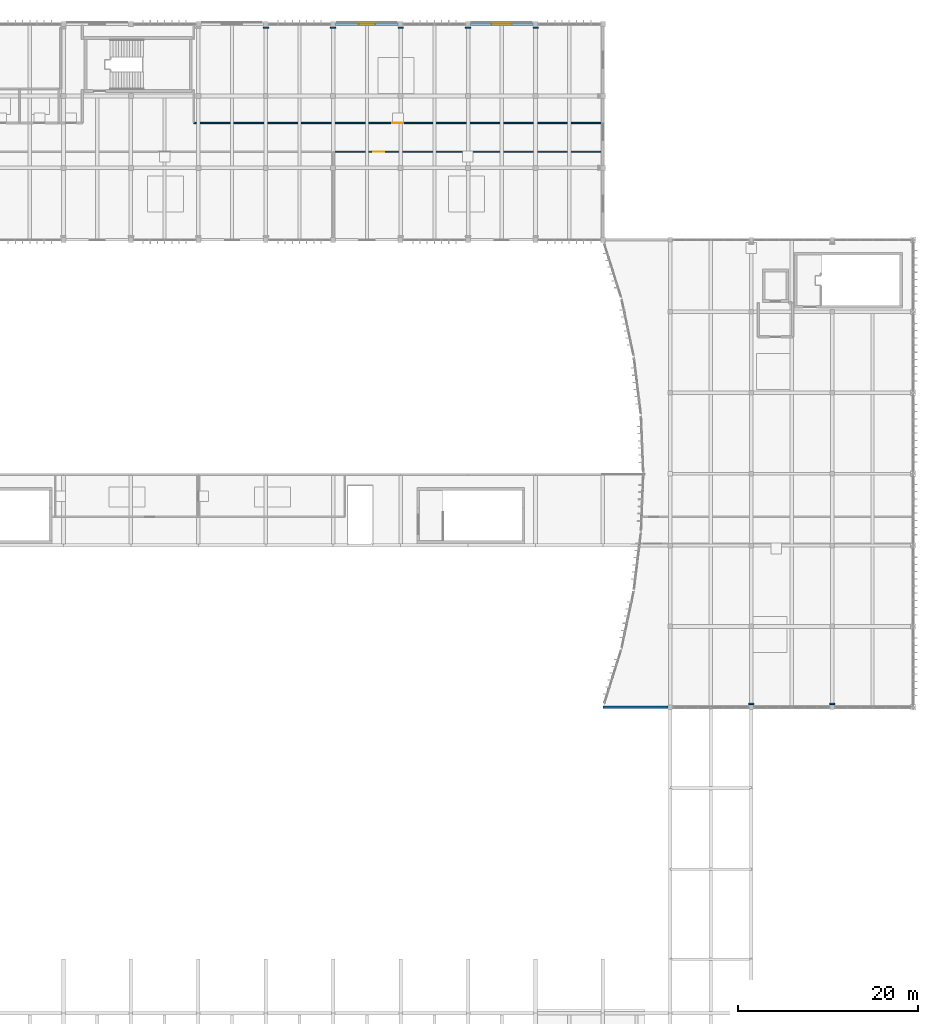
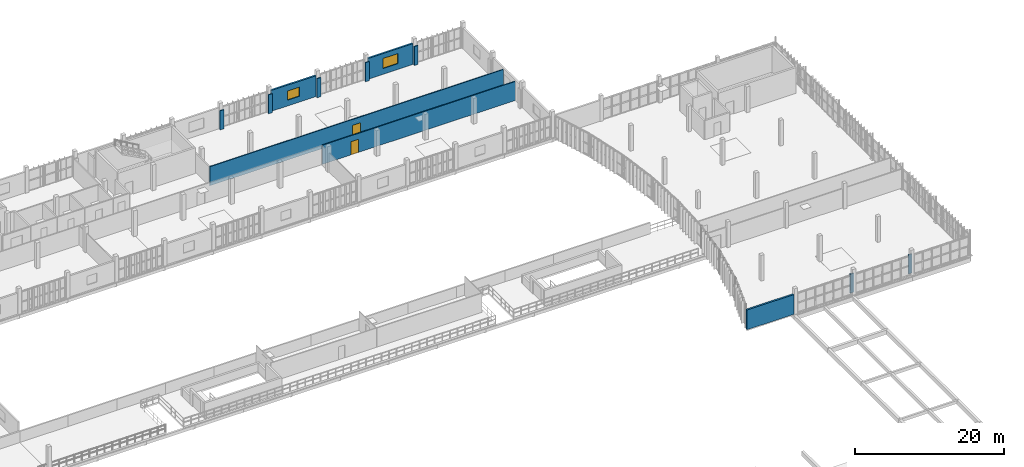
# One storey, part 45 of 61: 12 walls, 2 doors, 2 windows, 4 openings.
"""IFC4 building model written with IfcOpenShell, lengths in metres."""

from ifc_helpers import new_model, si_unit, direction, frame, frame_2d, origin, place, context, subcontext, project, spatial, rectangle, extrude, material, layer, layer_set, type_object, element, fill, save


model = new_model("IFC4")

# Units and contexts
model_context = context("Model", 3, precision=1e-05, world=origin(), true_north=direction((0.0, 1.0)))
body_context = subcontext(model_context, "Body", "Model", "MODEL_VIEW")
ifc_project = project(units=[si_unit("LENGTHUNIT", "METRE"), si_unit("AREAUNIT", "SQUARE_METRE"), si_unit("VOLUMEUNIT", "CUBIC_METRE"), si_unit("PLANEANGLEUNIT", "RADIAN"), si_unit("MASSUNIT", "GRAM", prefix="KILO")], contexts=[model_context])

# Site, building, storey
site_placement = place(None, origin())
site = spatial("IfcSite", under=ifc_project, at=site_placement, CompositionType="ELEMENT")
building_placement = place(site_placement, origin())
building = spatial("IfcBuilding", under=site, at=building_placement, Name="Vourika Railside Aquatics Centre", CompositionType="ELEMENT")
storey_placement = place(building_placement, frame((0.0, 0.0, 9.300048828125)))
storey = spatial("IfcBuildingStorey", under=building, at=storey_placement, Name="L02", CompositionType="ELEMENT", Elevation=9.300048828125)

# Wall
ifc_material_1 = material(Name="Precast concrete C40/50", Category="concrete")
ifc_layer_1 = layer(ifc_material_1, 0.27001953125, Name="WL-EXT-270")
ifc_layer_set_1 = layer_set([ifc_layer_1], Name="Precast concrete C40/50")
wall_type_1 = type_object("IfcWallType", Name="WL-EXT-270", PredefinedType="SOLIDWALL", material=ifc_layer_set_1)
wall_1_placement = place(storey_placement, frame((133.5, 40.0, 0.0), z_axis=(0.0, 0.0, 1.0), x_axis=(1.0, 0.0, 0.0)))
element("IfcWall", 1, at=wall_1_placement, inside=storey, type_object=wall_type_1, Name="Foyer South Return Wall L02", PredefinedType="SOLIDWALL", context=body_context, shape_type="SweptSolid", body=[
    extrude(rectangle(XDim=7.25, YDim=0.27001953125, at=frame_2d((3.625, 0.0))), origin(), (0.0, 0.0, 1.0), 3.219970703125),
])

# Wall, opening, window
wall_2_placement = place(storey_placement, frame((110.72509765625, 116.0, 0.0), z_axis=(0.0, 0.0, 1.0), x_axis=(-1.0, 0.0, 0.0)))
wall_2 = element("IfcWall", 2, at=wall_2_placement, inside=storey, type_object=wall_type_1, Name="North Boulevard Precast Bay L02-12", PredefinedType="SOLIDWALL", context=body_context, shape_type="SweptSolid", body=[
    extrude(rectangle(XDim=6.9501953125, YDim=0.27001953125, at=frame_2d((3.47509765625, 0.0))), origin(), (0.0, 0.0, 1.0), 3.409912109375),
])
opening_1_placement = place(wall_2_placement, frame((2.574951171875, 0.0, 0.949951171875)))
opening_1 = element("IfcOpeningElement", 3, at=opening_1_placement, cuts=wall_2, Name="Opening W08", PredefinedType="OPENING", context=body_context, shape_type="SweptSolid", body=[
    extrude(rectangle(XDim=1.800048828125, YDim=1.5, at=frame_2d((0.89990234375, 0.75))), frame((0.0, 0.14501953125, 0.0), z_axis=(0.0, -1.0, 0.0), x_axis=(1.0, 0.0, 0.0)), (0.0, 0.0, 1.0), 0.2900390625),
])
ifc_material_2 = material(Name="Laminated solar-control glass", Category="glass")
window_type_1 = type_object("IfcWindowType", Name="WN-CLN-180x150", PartitioningType="SINGLE_PANEL", PredefinedType="WINDOW", material=ifc_material_2)
window_1_placement = place(opening_1_placement, origin())
window_1 = element("IfcWindow", 4, at=window_1_placement, inside=storey, type_object=window_type_1, Name="North Boulevard Studio Window L02-12", OverallHeight=1.5, OverallWidth=1.800048828125, PartitioningType="SINGLE_PANEL", PredefinedType="WINDOW", context=body_context, shape_type="SweptSolid", body=[
    extrude(rectangle(XDim=1.800048828125, YDim=1.5, at=frame_2d((0.89990234375, 0.75))), frame((0.0, 0.030029296875, 0.0), z_axis=(0.0, -1.0, 0.0), x_axis=(1.0, 0.0, 0.0)), (0.0, 0.0, 1.0), 0.06005859375),
])
fill(opening_1, window_1)

wall_3_placement = place(storey_placement, frame((125.72509765625, 116.0, 0.0), z_axis=(0.0, 0.0, 1.0), x_axis=(-1.0, 0.0, 0.0)))
wall_3 = element("IfcWall", 5, at=wall_3_placement, inside=storey, type_object=wall_type_1, Name="North Boulevard Precast Bay L02-14", PredefinedType="SOLIDWALL", context=body_context, shape_type="SweptSolid", body=[
    extrude(rectangle(XDim=6.9501953125, YDim=0.27001953125, at=frame_2d((3.47509765625, 0.0))), origin(), (0.0, 0.0, 1.0), 3.409912109375),
])
opening_2_placement = place(wall_3_placement, frame((2.35009765625, 0.0, 0.949951171875)))
opening_2 = element("IfcOpeningElement", 6, at=opening_2_placement, cuts=wall_3, Name="Opening W10", PredefinedType="OPENING", context=body_context, shape_type="SweptSolid", body=[
    extrude(rectangle(XDim=2.25, YDim=1.64990234375, at=frame_2d((1.125, 0.824951171875))), frame((0.0, 0.14501953125, 0.0), z_axis=(0.0, -1.0, 0.0), x_axis=(1.0, 0.0, 0.0)), (0.0, 0.0, 1.0), 0.2900390625),
])
window_type_2 = type_object("IfcWindowType", Name="WN-LAB-225x165", PartitioningType="DOUBLE_PANEL_VERTICAL", PredefinedType="WINDOW", material=ifc_material_2)
window_2_placement = place(opening_2_placement, origin())
window_2 = element("IfcWindow", 7, at=window_2_placement, inside=storey, type_object=window_type_2, Name="North Boulevard Studio Window L02-14", OverallHeight=1.64990234375, OverallWidth=2.25, PartitioningType="SINGLE_PANEL", PredefinedType="WINDOW", context=body_context, shape_type="SweptSolid", body=[
    extrude(rectangle(XDim=2.25, YDim=1.64990234375, at=frame_2d((1.125, 0.824951171875))), frame((0.0, 0.030029296875, 0.0), z_axis=(0.0, -1.0, 0.0), x_axis=(1.0, 0.0, 0.0)), (0.0, 0.0, 1.0), 0.06005859375),
])
fill(opening_2, window_2)

# Wall, opening, door
ifc_material_3 = material(Name="Clinical hygienic partition")
ifc_layer_2 = layer(ifc_material_3, 0.139892578125, Name="WL-PART-140")
ifc_layer_set_2 = layer_set([ifc_layer_2], Name="Clinical hygienic partition")
wall_type_2 = type_object("IfcWallType", Name="WL-PART-140", PredefinedType="PARTITIONING", material=ifc_layer_set_2)
wall_4_placement = place(storey_placement, frame((103.550048828125, 101.800048828125, 0.0), z_axis=(0.0, 0.0, 1.0), x_axis=(1.0, 0.0, 0.0)))
wall_4 = element("IfcWall", 8, at=wall_4_placement, inside=storey, type_object=wall_type_2, Name="Exercise Physiology and VO2 Testing Laboratory Partition 1", PredefinedType="PARTITIONING", context=body_context, shape_type="SweptSolid", body=[
    extrude(rectangle(XDim=29.8349609375, YDim=0.139892578125, at=frame_2d((14.91748046875, 0.0))), origin(), (0.0, 0.0, 1.0), 3.119873046875),
])
opening_3_placement = place(wall_4_placement, frame((4.41748046875, 0.0, 0.0)))
opening_3 = element("IfcOpeningElement", 9, at=opening_3_placement, cuts=wall_4, Name="Opening DI03", PredefinedType="OPENING", context=body_context, shape_type="SweptSolid", body=[
    extrude(rectangle(XDim=1.199951171875, YDim=2.14990234375, at=frame_2d((0.60009765625, 1.074951171875))), frame((0.0, 0.080078125, 0.0), z_axis=(0.0, -1.0, 0.0), x_axis=(1.0, 0.0, 0.0)), (0.0, 0.0, 1.0), 0.159912109375),
])
ifc_material_4 = material(Name="Wide sports-medicine clinical door")
door_type = type_object("IfcDoorType", Name="DR-INT-1200", OperationType="NOTDEFINED", PredefinedType="DOOR", material=ifc_material_4)
door_1_placement = place(opening_3_placement, origin())
door_1 = element("IfcDoor", 10, at=door_1_placement, inside=storey, type_object=door_type, Name="Exercise Physiology and VO2 Testing Laboratory Door", OperationType="SINGLE_SWING_LEFT", OverallHeight=2.14990234375, OverallWidth=1.199951171875, PredefinedType="DOOR", context=body_context, shape_type="SweptSolid", body=[
    extrude(rectangle(XDim=1.199951171875, YDim=2.14990234375, at=frame_2d((0.60009765625, 1.074951171875))), frame((0.0, 0.02490234375, 0.0), z_axis=(0.0, -1.0, 0.0), x_axis=(1.0, 0.0, 0.0)), (0.0, 0.0, 1.0), 0.050048828125),
])
fill(opening_3, door_1)

wall_5_placement = place(storey_placement, frame((133.385009765625, 105.0, 0.0), z_axis=(0.0, 0.0, 1.0), x_axis=(-1.0, 0.0, 0.0)))
wall_5 = element("IfcWall", 11, at=wall_5_placement, inside=storey, type_object=wall_type_2, Name="Rehabilitation Gait and Isokinetic Laboratory Partition 1", PredefinedType="PARTITIONING", context=body_context, shape_type="SweptSolid", body=[
    extrude(rectangle(XDim=45.385009765625, YDim=0.139892578125, at=frame_2d((22.6923828125, 0.0))), origin(), (0.0, 0.0, 1.0), 3.119873046875),
])
opening_4_placement = place(wall_5_placement, frame((22.092529296875, 0.0, 0.0)))
opening_4 = element("IfcOpeningElement", 12, at=opening_4_placement, cuts=wall_5, Name="Opening DI03", PredefinedType="OPENING", context=body_context, shape_type="SweptSolid", body=[
    extrude(rectangle(XDim=1.199951171875, YDim=2.14990234375, at=frame_2d((0.60009765625, 1.074951171875))), frame((0.0, 0.080078125, 0.0), z_axis=(0.0, -1.0, 0.0), x_axis=(1.0, 0.0, 0.0)), (0.0, 0.0, 1.0), 0.159912109375),
])
door_2_placement = place(opening_4_placement, origin())
door_2 = element("IfcDoor", 13, at=door_2_placement, inside=storey, type_object=door_type, Name="Rehabilitation Gait and Isokinetic Laboratory Door", OperationType="SINGLE_SWING_RIGHT", OverallHeight=2.14990234375, OverallWidth=1.199951171875, PredefinedType="DOOR", context=body_context, shape_type="SweptSolid", body=[
    extrude(rectangle(XDim=1.199951171875, YDim=2.14990234375, at=frame_2d((0.60009765625, 1.074951171875))), frame((0.0, 0.02490234375, 0.0), z_axis=(0.0, -1.0, 0.0), x_axis=(1.0, 0.0, 0.0)), (0.0, 0.0, 1.0), 0.050048828125),
])
fill(opening_4, door_2)

# Walls
for number, where, z_axis, x_axis, name in (
    (14, (95.72509765625, 115.60009765625, 0.0), (0.0, 0.0, 1.0), (1.0, 0.0, 0.0), "Rehabilitation Gait and Isokinetic Laboratory Partition 6"),
    (15, (103.195068359375, 115.60009765625, 0.0), (0.0, 0.0, 1.0), (1.0, 0.0, 0.0), "Rehabilitation Gait and Isokinetic Laboratory Partition 7"),
    (16, (110.72509765625, 115.60009765625, 0.0), (0.0, 0.0, 1.0), (1.0, 0.0, 0.0), "Rehabilitation Gait and Isokinetic Laboratory Partition 8"),
    (17, (118.195068359375, 115.60009765625, 0.0), (0.0, 0.0, 1.0), (1.0, 0.0, 0.0), "Rehabilitation Gait and Isokinetic Laboratory Partition 9"),
    (18, (125.72509765625, 115.60009765625, 0.0), (0.0, 0.0, 1.0), (1.0, 0.0, 0.0), "Rehabilitation Gait and Isokinetic Laboratory Partition 10"),
):
    element("IfcWall", number, at=place(storey_placement, frame(where, z_axis=z_axis, x_axis=x_axis)), inside=storey, type_object=wall_type_2, Name=name, PredefinedType="PARTITIONING", context=body_context, shape_type="SweptSolid", body=[
        extrude(rectangle(XDim=0.579833984375, YDim=0.139892578125, at=frame_2d((0.2900390625, 0.0))), origin(), (0.0, 0.0, 1.0), 3.119873046875),
    ])
ifc_material_5 = material(Name="Acoustic twin-stud partition")
ifc_layer_3 = layer(ifc_material_5, 0.159912109375, Name="WL-PART-160")
ifc_layer_set_3 = layer_set([ifc_layer_3], Name="Acoustic twin-stud partition")
wall_type_3 = type_object("IfcWallType", Name="WL-PART-160", PredefinedType="PARTITIONING", material=ifc_layer_set_3)
for number, where, z_axis, x_axis, name in (
    (19, (150.280029296875, 40.39990234375, 0.0), (0.0, 0.0, 1.0), (-1.0, 0.0, 0.0), "Press Auditorium Partition 2"),
    (20, (159.280029296875, 40.39990234375, 0.0), (0.0, 0.0, 1.0), (-1.0, 0.0, 0.0), "Press Auditorium Partition 3"),
):
    element("IfcWall", number, at=place(storey_placement, frame(where, z_axis=z_axis, x_axis=x_axis)), inside=storey, type_object=wall_type_3, Name=name, PredefinedType="PARTITIONING", context=body_context, shape_type="SweptSolid", body=[
        extrude(rectangle(XDim=0.56005859375, YDim=0.159912109375, at=frame_2d((0.280029296875, 0.0))), origin(), (0.0, 0.0, 1.0), 3.119873046875),
    ])

save(model, "model.ifc")
